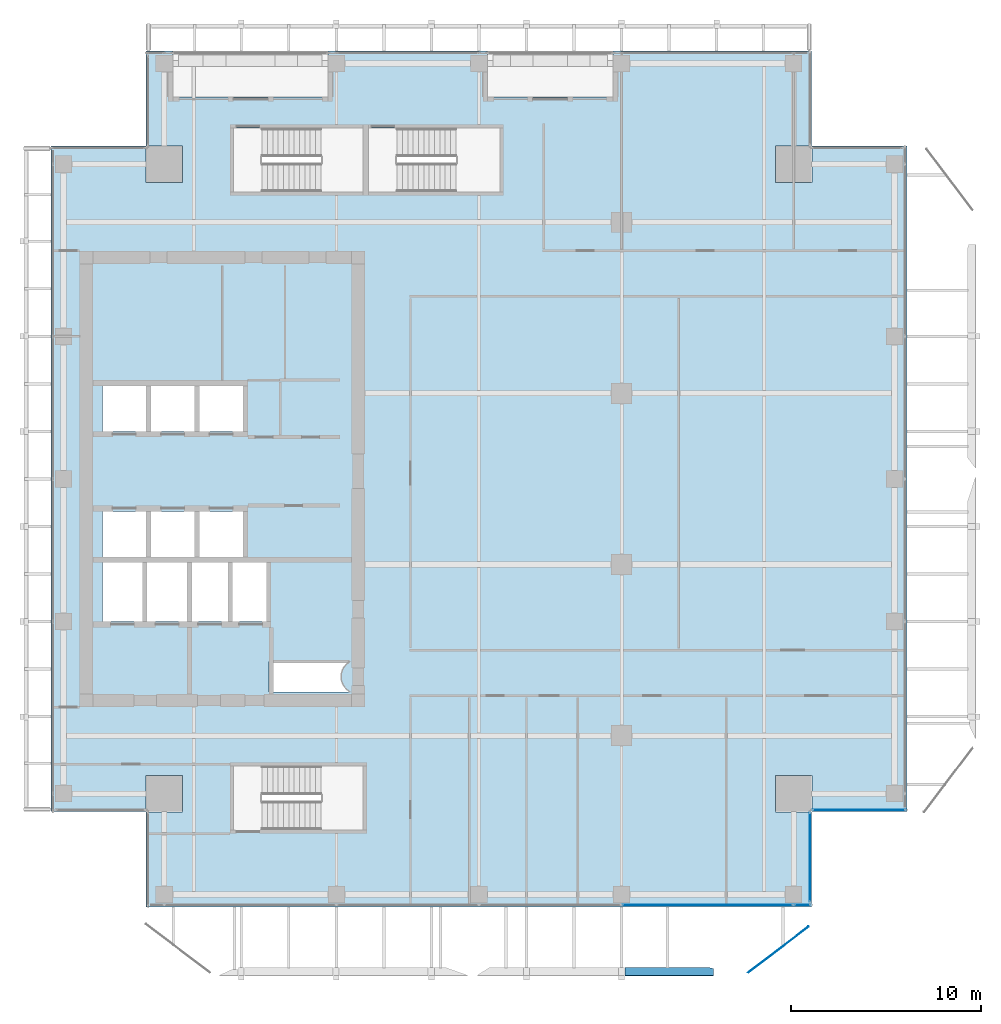
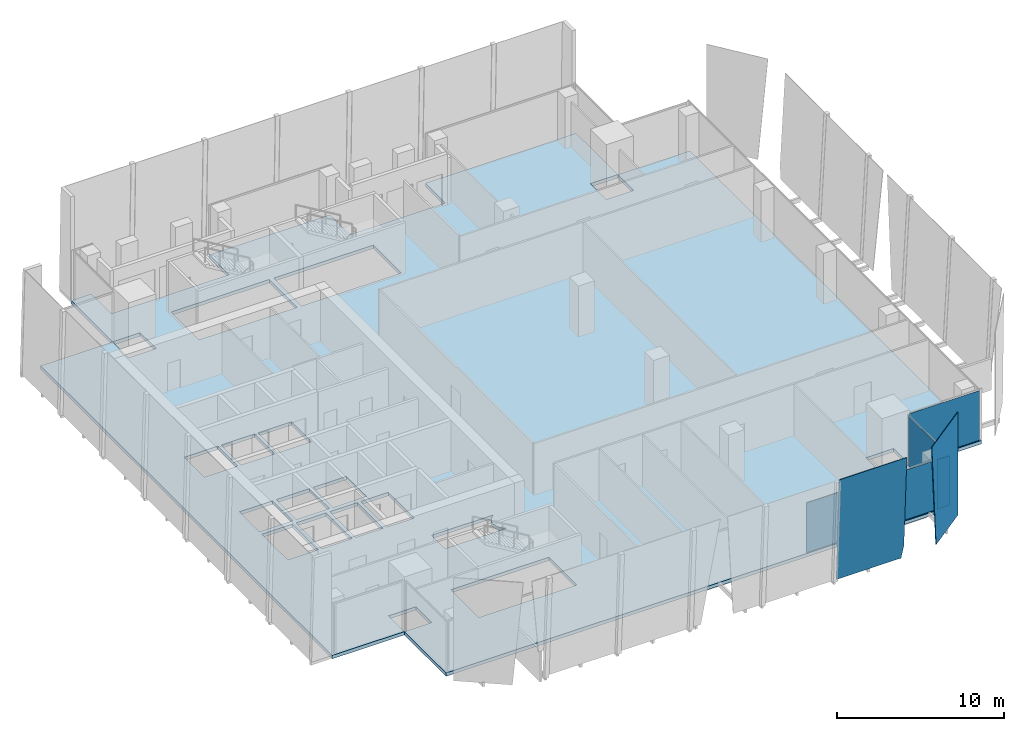
# One storey, part 24 of 35: 6 plates, 1 slab, 3 elements without a shape of their own.
"""IFC4 building model written with IfcOpenShell, lengths in metres."""

from ifc_helpers import new_model, si_unit, direction, frame, origin, origin_2d, place, context, subcontext, project, spatial, polyline, rectangle, outline, extrude, source, transform, mapped, material, layer, layer_set, type_object, element, aggregate, save


model = new_model("IFC4")

# Units and contexts
model_context = context("Model", 3, precision=1e-05, world=origin(), true_north=direction((0.0, 1.0)))
body_context = subcontext(model_context, "Body", "Model", "MODEL_VIEW")
ifc_project = project(units=[si_unit("LENGTHUNIT", "METRE"), si_unit("AREAUNIT", "SQUARE_METRE"), si_unit("VOLUMEUNIT", "CUBIC_METRE"), si_unit("PLANEANGLEUNIT", "RADIAN"), si_unit("MASSUNIT", "GRAM", prefix="KILO")], contexts=[model_context])

# Site, building, storey
site_placement = place(None, origin())
site = spatial("IfcSite", under=ifc_project, at=site_placement, CompositionType="ELEMENT")
building_placement = place(site_placement, origin())
building = spatial("IfcBuilding", under=site, at=building_placement, Name="Khomas Fold Tower", CompositionType="ELEMENT")
storey_placement = place(building_placement, frame((0.0, 0.0, 266.199951171875)))
storey = spatial("IfcBuildingStorey", under=building, at=storey_placement, Name="L60", CompositionType="ELEMENT", Elevation=266.199951171875)

# Plates
ifc_material_1 = material(Name="Clear laminated glass", Category="glass")
ifc_layer_1 = layer(ifc_material_1, 0.0400390625)
ifc_layer_set_1 = layer_set([ifc_layer_1], Name="Clear laminated glass")
plate_type_1 = type_object("IfcPlateType", Name="SK-Clear laminated glass leaf", PredefinedType="SHEET", material=ifc_layer_set_1)
plate_1_placement = place(storey_placement, frame((39.157958984375, 1.2939453125, 0.0), z_axis=(-1.119001e-06, 0.998630732408, 0.052313098639), x_axis=(-0.999999999999, -1.117469e-06, -5.8538e-08)))
element("IfcPlate", 1, at=plate_1_placement, inside=storey, type_object=plate_type_1, Name="OUTER SKIN glass L60 SG103-13", PredefinedType="SHEET", context=body_context, shape_type="SweptSolid", body=[
    extrude(outline(polyline([(0.0, 0.0), (4.48803710937219, 0.0), (4.488037109371974, 7.560401030158401), (-0.17211914062510777, 7.560401030158401), (-0.1721191406365628, 0.8962461865108251), (0.0, 0.0)])), origin(), (0.0, 0.0, -1.0), 0.0400390625),
])
plate_2_placement = place(storey_placement, frame((41.654296875, 1.44580078125, 0.0), z_axis=(-0.603541186666, 0.797331823004, 4.740573e-06), x_axis=(-0.068975303924, -0.052216854238, 0.996250875825)))
element("IfcPlate", 2, at=plate_2_placement, inside=storey, type_object=plate_type_1, Name="OUTER SKIN glass L60 SG104-14", PredefinedType="SHEET", context=body_context, shape_type="SweptSolid", body=[
    extrude(outline(polyline([(0.0, 0.0), (7.578461421218067, 0.0), (7.231420405548737, 3.996474534758664), (-0.2903223519925075, 3.3433105467996773), (0.0, 0.0)])), origin(), (0.0, 0.0, -1.0), 0.0400390625),
])

# Slab
ifc_material_2 = material(Name="Concrete C40/50", Category="concrete")
ifc_layer_2 = layer(ifc_material_2, 0.25)
ifc_layer_set_2 = layer_set([ifc_layer_2], Name="Concrete C40/50")
slab_type = type_object("IfcSlabType", Name="RC floor slab 250", PredefinedType="FLOOR", material=ifc_layer_set_2)
shared_shape_1 = source(origin(), body_context, "Body", "SweptSolid", [
    extrude(outline(polyline([(4.5, 9.5), (9.4951171875, 9.5), (9.4951171875, 11.405029296875), (11.405029296875, 11.405029296875), (11.405029296875, 9.4951171875), (9.5, 9.4951171875), (9.5, 4.5), (44.5, 4.5), (44.5, 9.4951171875), (42.594970703125, 9.4951171875), (42.594970703125, 11.405029296875), (44.5048828125, 11.405029296875), (44.5048828125, 9.5), (49.5, 9.5), (49.5, 44.5), (44.5048828125, 44.5), (44.5048828125, 42.594970703125), (42.594970703125, 42.594970703125), (42.594970703125, 44.5048828125), (44.5, 44.5048828125), (44.5, 49.5), (34.050048828125, 49.5), (34.050048828125, 47.10009765625), (27.449951171875, 47.10009765625), (27.449951171875, 49.5), (19.050048828125, 49.5), (19.050048828125, 47.10009765625), (10.89990234375, 47.10009765625), (10.89990234375, 49.5), (9.5, 49.5), (9.5, 44.5048828125), (11.405029296875, 44.5048828125), (11.405029296875, 42.594970703125), (9.4951171875, 42.594970703125), (9.4951171875, 44.5), (4.5, 44.5), (4.5, 9.5)]), holes=[polyline([(7.199951171875, 19.5), (7.199951171875, 22.60009765625), (9.300048828125, 22.60009765625), (9.300048828125, 19.5), (7.199951171875, 19.5)]), polyline([(7.199951171875, 22.89990234375), (7.199951171875, 25.300048828125), (9.5, 25.300048828125), (9.5, 22.89990234375), (7.199951171875, 22.89990234375)]), polyline([(7.199951171875, 29.5), (7.199951171875, 31.89990234375), (9.5, 31.89990234375), (9.5, 29.5), (7.199951171875, 29.5)]), polyline([(9.550048828125, 19.5), (9.550048828125, 22.60009765625), (11.64990234375, 22.60009765625), (11.64990234375, 19.5), (9.550048828125, 19.5)]), polyline([(9.75, 22.89990234375), (9.75, 25.300048828125), (12.050048828125, 25.300048828125), (12.050048828125, 22.89990234375), (9.75, 22.89990234375)]), polyline([(9.75, 29.5), (9.75, 31.89990234375), (12.050048828125, 31.89990234375), (12.050048828125, 29.5), (9.75, 29.5)]), polyline([(11.89990234375, 19.5), (11.89990234375, 22.60009765625), (13.800048828125, 22.60009765625), (13.800048828125, 19.5), (11.89990234375, 19.5)]), polyline([(12.300048828125, 22.89990234375), (12.300048828125, 25.300048828125), (14.60009765625, 25.300048828125), (14.60009765625, 22.89990234375), (12.300048828125, 22.89990234375)]), polyline([(12.300048828125, 29.5), (12.300048828125, 31.89990234375), (14.60009765625, 31.89990234375), (14.60009765625, 29.5), (12.300048828125, 29.5)]), polyline([(14.050048828125, 19.5), (14.050048828125, 22.60009765625), (15.949951171875, 22.60009765625), (15.949951171875, 19.5), (14.050048828125, 19.5)]), polyline([(14.10009765625, 8.550048828125), (14.10009765625, 11.89990234375), (20.89990234375, 11.89990234375), (20.89990234375, 8.550048828125), (14.10009765625, 8.550048828125)]), polyline([(14.10009765625, 42.10009765625), (14.10009765625, 45.449951171875), (20.89990234375, 45.449951171875), (20.89990234375, 42.10009765625), (14.10009765625, 42.10009765625)]), polyline([(15.949951171875, 15.800048828125), (15.949951171875, 17.39990234375), (20.199951171875, 17.39990234375), (20.199951171875, 17.37841796875), (20.14990234375, 17.348388671875), (20.0791015625, 17.295654296875), (20.013671875, 17.236328125), (19.954345703125, 17.1708984375), (19.901611328125, 17.10009765625), (19.856201171875, 17.0244140625), (19.818603515625, 16.9443359375), (19.788818359375, 16.861328125), (19.767333984375, 16.775634765625), (19.75439453125, 16.688232421875), (19.75, 16.60009765625), (19.75439453125, 16.51171875), (19.767333984375, 16.42431640625), (19.788818359375, 16.338623046875), (19.818603515625, 16.255615234375), (19.856201171875, 16.17578125), (19.901611328125, 16.10009765625), (19.954345703125, 16.029052734375), (20.013671875, 15.963623046875), (20.0791015625, 15.904296875), (20.14990234375, 15.851806640625), (20.199951171875, 15.82177734375), (20.199951171875, 15.800048828125), (15.949951171875, 15.800048828125)]), polyline([(21.199951171875, 42.10009765625), (21.199951171875, 45.449951171875), (28.10009765625, 45.449951171875), (28.10009765625, 42.10009765625), (21.199951171875, 42.10009765625)])]), origin(), (0.0, 0.0, 1.0), 0.25),
])
slab_placement = place(storey_placement, frame((0.0, 0.0, -0.25)))
element("IfcSlab", 3, at=slab_placement, inside=storey, type_object=slab_type, Name="S-L60", PredefinedType="FLOOR", context=body_context, shape_type="MappedRepresentation", body=[
    mapped(shared_shape_1, transform((0.0, 0.0, 0.0))),
])

# Curtain wall, plates
ifc_material_3 = material(Name="Aluminium framed double glazing", Category="aluminium")
curtain_wall_type = type_object("IfcCurtainWallType", Name="SK-Unitised clear-glass wall, office floors CW2", PredefinedType="NOTDEFINED", material=ifc_material_3)
curtain_wall_1_placement = place(storey_placement, origin())
curtain_wall_1 = element("IfcCurtainWall", 4, at=curtain_wall_1_placement, inside=storey, type_object=curtain_wall_type, Name="CW2 run L60 00-0", PredefinedType="NOTDEFINED")
ifc_material_4 = material(Name="Clear double glazed unit")
ifc_layer_3 = layer(ifc_material_4, 0.030029296875)
ifc_layer_set_3 = layer_set([ifc_layer_3], Name="Clear double glazed unit")
plate_type_2 = type_object("IfcPlateType", Name="SK-Unitised clear-glass wall, office floors glass panel CW2-P", PredefinedType="CURTAIN_PANEL", material=ifc_layer_set_3)
shared_shape_2 = source(origin(), body_context, "Body", "SweptSolid", [
    extrude(rectangle(XDim=0.860107421875, YDim=0.030029296875, at=origin_2d()), origin(), (0.0, 0.0, 1.0), 3.639892578125),
])
plate_3_placement = place(storey_placement, frame((44.010009765625, 4.60009765625, 0.0), z_axis=(0.0, 0.0, 1.0), x_axis=(1.0, 0.0, 0.0)))
plate_3 = element("IfcPlate", 5, at=plate_3_placement, type_object=plate_type_2, Name="CW2 glass panel 6", PredefinedType="CURTAIN_PANEL", context=body_context, shape_type="MappedRepresentation", body=[
    mapped(shared_shape_2, transform((0.0, 0.0, 0.0))),
])
shared_shape_3 = source(origin(), body_context, "Body", "SweptSolid", [
    extrude(rectangle(XDim=8.989990234375, YDim=0.030029296875, at=origin_2d()), origin(), (0.0, 0.0, 1.0), 3.639892578125),
])
plate_4_placement = place(storey_placement, frame((39.02490234375, 4.60009765625, 0.0), z_axis=(0.0, 0.0, 1.0), x_axis=(1.0, 0.0, 0.0)))
plate_4 = element("IfcPlate", 6, at=plate_4_placement, type_object=plate_type_2, Name="CW2 glass panel 5", PredefinedType="CURTAIN_PANEL", context=body_context, shape_type="MappedRepresentation", body=[
    mapped(shared_shape_3, transform((0.0, 0.0, 0.0))),
])
aggregate(curtain_wall_1, [plate_4, plate_3])

# Curtain wall, plate
curtain_wall_2_placement = place(storey_placement, origin())
curtain_wall_2 = element("IfcCurtainWall", 7, at=curtain_wall_2_placement, inside=storey, type_object=curtain_wall_type, Name="CW2 corner return L60 01", PredefinedType="NOTDEFINED")
shared_shape_4 = source(origin(), body_context, "Body", "SweptSolid", [
    extrude(rectangle(XDim=4.679931640625, YDim=0.030029296875, at=origin_2d()), origin(), (0.0, 0.0, 1.0), 3.639892578125),
])
plate_5_placement = place(storey_placement, frame((44.39990234375, 7.10009765625, 0.0), z_axis=(0.0, 0.0, 1.0), x_axis=(0.0, 1.0, 0.0)))
plate_5 = element("IfcPlate", 8, at=plate_5_placement, type_object=plate_type_2, Name="CW2 glass panel 1", PredefinedType="CURTAIN_PANEL", context=body_context, shape_type="MappedRepresentation", body=[
    mapped(shared_shape_4, transform((0.0, 0.0, 0.0))),
])
aggregate(curtain_wall_2, [plate_5])

curtain_wall_3_placement = place(storey_placement, origin())
curtain_wall_3 = element("IfcCurtainWall", 9, at=curtain_wall_3_placement, inside=storey, type_object=curtain_wall_type, Name="CW2 corner return L60 02", PredefinedType="NOTDEFINED")
shared_shape_5 = source(origin(), body_context, "Body", "SweptSolid", [
    extrude(rectangle(XDim=4.8798828125, YDim=0.030029296875, at=origin_2d()), origin(), (0.0, 0.0, 1.0), 3.639892578125),
])
plate_6_placement = place(storey_placement, frame((47.0, 9.60009765625, 0.0), z_axis=(0.0, 0.0, 1.0), x_axis=(1.0, 0.0, 0.0)))
plate_6 = element("IfcPlate", 10, at=plate_6_placement, type_object=plate_type_2, Name="CW2 glass panel 1", PredefinedType="CURTAIN_PANEL", context=body_context, shape_type="MappedRepresentation", body=[
    mapped(shared_shape_5, transform((0.0, 0.0, 0.0))),
])
aggregate(curtain_wall_3, [plate_6])

save(model, "model.ifc")
